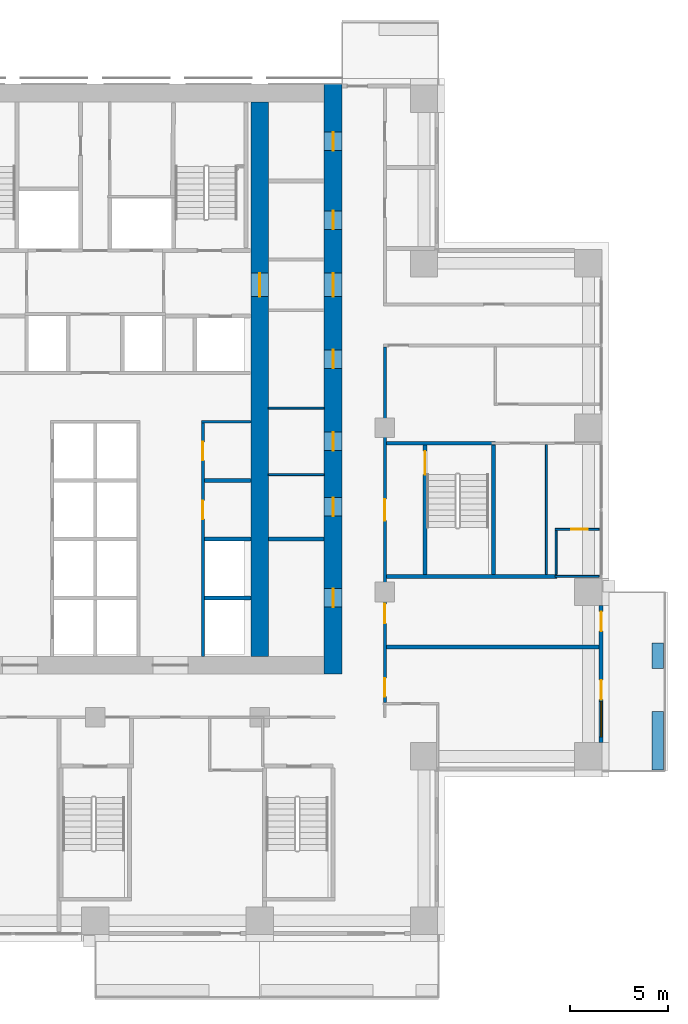
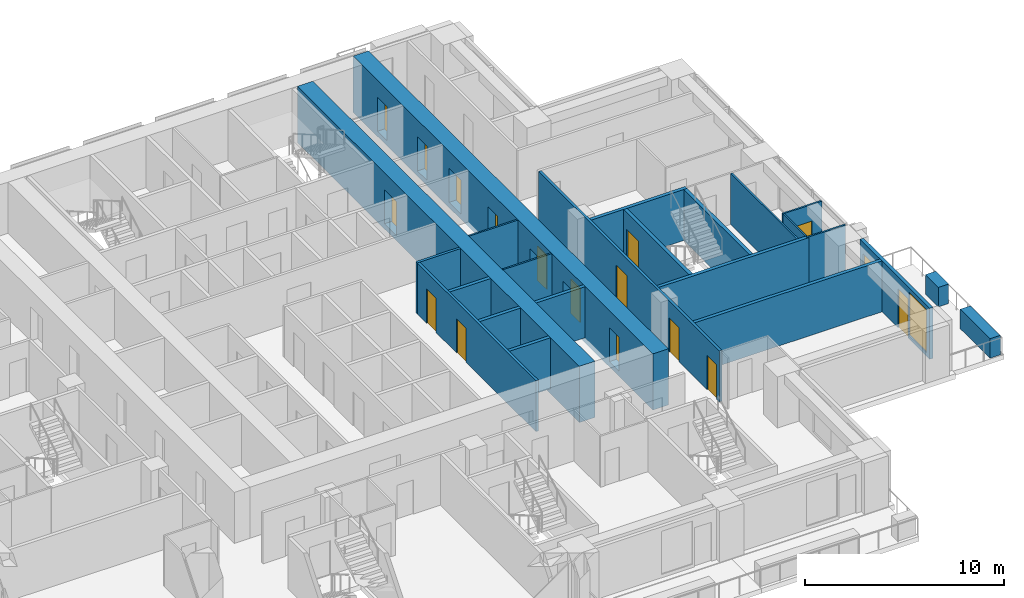
# One storey, part 11 of 17: 23 walls, 17 doors, 1 window, 18 openings.
"""IFC4 building model written with IfcOpenShell, lengths in metres."""

from ifc_helpers import new_model, si_unit, direction, frame, frame_2d, origin, place, context, subcontext, project, spatial, rectangle, extrude, material, layer, layer_set, type_object, element, fill, save


model = new_model("IFC4")

# Units and contexts
model_context = context("Model", 3, precision=1e-05, world=origin(), true_north=direction((0.0, 1.0)))
body_context = subcontext(model_context, "Body", "Model", "MODEL_VIEW")
ifc_project = project(units=[si_unit("LENGTHUNIT", "METRE"), si_unit("AREAUNIT", "SQUARE_METRE"), si_unit("VOLUMEUNIT", "CUBIC_METRE"), si_unit("PLANEANGLEUNIT", "RADIAN"), si_unit("MASSUNIT", "GRAM", prefix="KILO")], contexts=[model_context])

# Site, building, storey
site_placement = place(None, origin())
site = spatial("IfcSite", under=ifc_project, at=site_placement, CompositionType="ELEMENT")
building_placement = place(site_placement, origin())
building = spatial("IfcBuilding", under=site, at=building_placement, Name="Vermilion Ogive Tower", CompositionType="ELEMENT")
storey_placement = place(building_placement, frame((0.0, 0.0, 65.550048828125)))
storey = spatial("IfcBuildingStorey", under=building, at=storey_placement, Name="L15", CompositionType="ELEMENT", Elevation=65.550048828125)

# Wall, openings, doors
ifc_material_1 = material(Name="Concrete B80", Category="concrete")
ifc_layer_1 = layer(ifc_material_1, 0.89990234375)
ifc_layer_set_1 = layer_set([ifc_layer_1], Name="Core wall 900 B80")
wall_type_1 = type_object("IfcWallType", Name="Core wall 900 B80", PredefinedType="SHEAR", material=ifc_layer_set_1)
wall_1_placement = place(storey_placement, frame((12.14990234375, -8.39990234375, -0.320068359375), z_axis=(0.0, 0.0, 1.0), x_axis=(0.0, 1.0, 0.0)))
wall_1 = element("IfcWall", 1, at=wall_1_placement, inside=storey, type_object=wall_type_1, Name="L15-CORE-E", PredefinedType="SHEAR", context=body_context, shape_type="SweptSolid", body=[
    extrude(rectangle(XDim=30.14990234375, YDim=0.89990234375, at=frame_2d((15.074951171875, 0.0))), origin(), (0.0, 0.0, 1.0), 3.449951171875),
])
opening_1_placement = place(wall_1_placement, frame((3.425048828125, 0.0, 0.320068359375)))
opening_1 = element("IfcOpeningElement", 2, at=opening_1_placement, cuts=wall_1, Name="Opening DAC023", PredefinedType="OPENING", context=body_context, shape_type="SweptSolid", body=[
    extrude(rectangle(XDim=0.949951171875, YDim=2.10009765625, at=frame_2d((0.47509765625, 1.050048828125))), frame((0.0, 0.4599609375, 0.0), z_axis=(0.0, -1.0, 0.0), x_axis=(1.0, 0.0, 0.0)), (0.0, 0.0, 1.0), 0.919921875),
])
opening_2_placement = place(wall_1_placement, frame((8.074951171875, 0.0, 0.320068359375)))
opening_2 = element("IfcOpeningElement", 3, at=opening_2_placement, cuts=wall_1, Name="Opening DAC024", PredefinedType="OPENING", context=body_context, shape_type="SweptSolid", body=[
    extrude(rectangle(XDim=0.949951171875, YDim=2.10009765625, at=frame_2d((0.47509765625, 1.050048828125))), frame((0.0, 0.4599609375, 0.0), z_axis=(0.0, -1.0, 0.0), x_axis=(1.0, 0.0, 0.0)), (0.0, 0.0, 1.0), 0.919921875),
])
opening_3_placement = place(wall_1_placement, frame((11.425048828125, 0.0, 0.320068359375)))
opening_3 = element("IfcOpeningElement", 4, at=opening_3_placement, cuts=wall_1, Name="Opening DAC025", PredefinedType="OPENING", context=body_context, shape_type="SweptSolid", body=[
    extrude(rectangle(XDim=0.949951171875, YDim=2.10009765625, at=frame_2d((0.47509765625, 1.050048828125))), frame((0.0, 0.4599609375, 0.0), z_axis=(0.0, -1.0, 0.0), x_axis=(1.0, 0.0, 0.0)), (0.0, 0.0, 1.0), 0.919921875),
])
opening_4_placement = place(wall_1_placement, frame((15.625, 0.0, 0.320068359375)))
opening_4 = element("IfcOpeningElement", 5, at=opening_4_placement, cuts=wall_1, Name="Opening DAC026", PredefinedType="OPENING", context=body_context, shape_type="SweptSolid", body=[
    extrude(rectangle(XDim=0.949951171875, YDim=2.10009765625, at=frame_2d((0.47509765625, 1.050048828125))), frame((0.0, 0.4599609375, 0.0), z_axis=(0.0, -1.0, 0.0), x_axis=(1.0, 0.0, 0.0)), (0.0, 0.0, 1.0), 0.919921875),
])
opening_5_placement = place(wall_1_placement, frame((22.72509765625, 0.0, 0.320068359375)))
opening_5 = element("IfcOpeningElement", 6, at=opening_5_placement, cuts=wall_1, Name="Opening DAC027", PredefinedType="OPENING", context=body_context, shape_type="SweptSolid", body=[
    extrude(rectangle(XDim=0.949951171875, YDim=2.10009765625, at=frame_2d((0.47509765625, 1.050048828125))), frame((0.0, 0.4599609375, 0.0), z_axis=(0.0, -1.0, 0.0), x_axis=(1.0, 0.0, 0.0)), (0.0, 0.0, 1.0), 0.919921875),
])
opening_6_placement = place(wall_1_placement, frame((26.75, 0.0, 0.320068359375)))
opening_6 = element("IfcOpeningElement", 7, at=opening_6_placement, cuts=wall_1, Name="Opening DAC028", PredefinedType="OPENING", context=body_context, shape_type="SweptSolid", body=[
    extrude(rectangle(XDim=0.949951171875, YDim=2.10009765625, at=frame_2d((0.47509765625, 1.050048828125))), frame((0.0, 0.4599609375, 0.0), z_axis=(0.0, -1.0, 0.0), x_axis=(1.0, 0.0, 0.0)), (0.0, 0.0, 1.0), 0.919921875),
])
opening_7_placement = place(wall_1_placement, frame((19.300048828125, 0.0, 0.320068359375)))
opening_7 = element("IfcOpeningElement", 8, at=opening_7_placement, cuts=wall_1, Name="Opening DAL005", PredefinedType="OPENING", context=body_context, shape_type="SweptSolid", body=[
    extrude(rectangle(XDim=1.199951171875, YDim=2.10009765625, at=frame_2d((0.60009765625, 1.050048828125))), frame((0.0, 0.4599609375, 0.0), z_axis=(0.0, -1.0, 0.0), x_axis=(1.0, 0.0, 0.0)), (0.0, 0.0, 1.0), 0.919921875),
])
ifc_material_2 = material(Name="Timber door leaf", Category="wood")
door_type_1 = type_object("IfcDoorType", Name="Link door 1200 x 2100 FD60S", OperationType="SINGLE_SWING_LEFT", PredefinedType="DOOR", material=ifc_material_2)
door_1_placement = place(opening_7_placement, origin())
door_1 = element("IfcDoor", 9, at=door_1_placement, inside=storey, type_object=door_type_1, Name="L15-CKE-XL", OperationType="SINGLE_SWING_LEFT", OverallHeight=2.10009765625, OverallWidth=1.199951171875, PredefinedType="DOOR", context=body_context, shape_type="SweptSolid", body=[
    extrude(rectangle(XDim=1.199951171875, YDim=2.10009765625, at=frame_2d((0.60009765625, 1.050048828125))), frame((0.0, 0.02490234375, 0.0), z_axis=(0.0, -1.0, 0.0), x_axis=(1.0, 0.0, 0.0)), (0.0, 0.0, 1.0), 0.050048828125),
])
fill(opening_7, door_1)
ifc_material_3 = material(Name="Timber door leaf", Category="wood")
door_type_2 = type_object("IfcDoorType", Name="Service door 950 x 2100 FD60", OperationType="SINGLE_SWING_LEFT", PredefinedType="DOOR", material=ifc_material_3)
door_2_placement = place(opening_1_placement, origin())
door_2 = element("IfcDoor", 10, at=door_2_placement, inside=storey, type_object=door_type_2, Name="L15-CKE-XR0", OperationType="SINGLE_SWING_LEFT", OverallHeight=2.10009765625, OverallWidth=0.949951171875, PredefinedType="DOOR", context=body_context, shape_type="SweptSolid", body=[
    extrude(rectangle(XDim=0.949951171875, YDim=2.10009765625, at=frame_2d((0.47509765625, 1.050048828125))), frame((0.0, 0.02490234375, 0.0), z_axis=(0.0, -1.0, 0.0), x_axis=(1.0, 0.0, 0.0)), (0.0, 0.0, 1.0), 0.050048828125),
])
fill(opening_1, door_2)
door_3_placement = place(opening_2_placement, origin())
door_3 = element("IfcDoor", 11, at=door_3_placement, inside=storey, type_object=door_type_2, Name="L15-CKE-XR1", OperationType="SINGLE_SWING_LEFT", OverallHeight=2.10009765625, OverallWidth=0.949951171875, PredefinedType="DOOR", context=body_context, shape_type="SweptSolid", body=[
    extrude(rectangle(XDim=0.949951171875, YDim=2.10009765625, at=frame_2d((0.47509765625, 1.050048828125))), frame((0.0, 0.02490234375, 0.0), z_axis=(0.0, -1.0, 0.0), x_axis=(1.0, 0.0, 0.0)), (0.0, 0.0, 1.0), 0.050048828125),
])
fill(opening_2, door_3)
door_4_placement = place(opening_3_placement, origin())
door_4 = element("IfcDoor", 12, at=door_4_placement, inside=storey, type_object=door_type_2, Name="L15-CKE-XR2", OperationType="SINGLE_SWING_LEFT", OverallHeight=2.10009765625, OverallWidth=0.949951171875, PredefinedType="DOOR", context=body_context, shape_type="SweptSolid", body=[
    extrude(rectangle(XDim=0.949951171875, YDim=2.10009765625, at=frame_2d((0.47509765625, 1.050048828125))), frame((0.0, 0.02490234375, 0.0), z_axis=(0.0, -1.0, 0.0), x_axis=(1.0, 0.0, 0.0)), (0.0, 0.0, 1.0), 0.050048828125),
])
fill(opening_3, door_4)
door_5_placement = place(opening_4_placement, origin())
door_5 = element("IfcDoor", 13, at=door_5_placement, inside=storey, type_object=door_type_2, Name="L15-CKE-XR3", OperationType="SINGLE_SWING_LEFT", OverallHeight=2.10009765625, OverallWidth=0.949951171875, PredefinedType="DOOR", context=body_context, shape_type="SweptSolid", body=[
    extrude(rectangle(XDim=0.949951171875, YDim=2.10009765625, at=frame_2d((0.47509765625, 1.050048828125))), frame((0.0, 0.02490234375, 0.0), z_axis=(0.0, -1.0, 0.0), x_axis=(1.0, 0.0, 0.0)), (0.0, 0.0, 1.0), 0.050048828125),
])
fill(opening_4, door_5)
door_6_placement = place(opening_5_placement, origin())
door_6 = element("IfcDoor", 14, at=door_6_placement, inside=storey, type_object=door_type_2, Name="L15-CKE-XR4", OperationType="SINGLE_SWING_LEFT", OverallHeight=2.10009765625, OverallWidth=0.949951171875, PredefinedType="DOOR", context=body_context, shape_type="SweptSolid", body=[
    extrude(rectangle(XDim=0.949951171875, YDim=2.10009765625, at=frame_2d((0.47509765625, 1.050048828125))), frame((0.0, 0.02490234375, 0.0), z_axis=(0.0, -1.0, 0.0), x_axis=(1.0, 0.0, 0.0)), (0.0, 0.0, 1.0), 0.050048828125),
])
fill(opening_5, door_6)
door_7_placement = place(opening_6_placement, origin())
door_7 = element("IfcDoor", 15, at=door_7_placement, inside=storey, type_object=door_type_2, Name="L15-CKE-XR5", OperationType="SINGLE_SWING_LEFT", OverallHeight=2.10009765625, OverallWidth=0.949951171875, PredefinedType="DOOR", context=body_context, shape_type="SweptSolid", body=[
    extrude(rectangle(XDim=0.949951171875, YDim=2.10009765625, at=frame_2d((0.47509765625, 1.050048828125))), frame((0.0, 0.02490234375, 0.0), z_axis=(0.0, -1.0, 0.0), x_axis=(1.0, 0.0, 0.0)), (0.0, 0.0, 1.0), 0.050048828125),
])
fill(opening_6, door_7)

# Wall, opening, door
wall_2_placement = place(storey_placement, frame((8.39990234375, -7.5, -0.320068359375), z_axis=(0.0, 0.0, 1.0), x_axis=(0.0, 1.0, 0.0)))
wall_2 = element("IfcWall", 16, at=wall_2_placement, inside=storey, type_object=wall_type_1, Name="L15-CORE-WEB2", PredefinedType="SHEAR", context=body_context, shape_type="SweptSolid", body=[
    extrude(rectangle(XDim=28.35009765625, YDim=0.89990234375, at=frame_2d((14.175048828125, 0.0))), origin(), (0.0, 0.0, 1.0), 3.449951171875),
])
opening_8_placement = place(wall_2_placement, frame((18.39990234375, 0.0, 0.320068359375)))
opening_8 = element("IfcOpeningElement", 17, at=opening_8_placement, cuts=wall_2, Name="Opening DAO005", PredefinedType="OPENING", context=body_context, shape_type="SweptSolid", body=[
    extrude(rectangle(XDim=1.199951171875, YDim=2.10009765625, at=frame_2d((0.60009765625, 1.050048828125))), frame((0.0, 0.4599609375, 0.0), z_axis=(0.0, -1.0, 0.0), x_axis=(1.0, 0.0, 0.0)), (0.0, 0.0, 1.0), 0.919921875),
])
door_8_placement = place(opening_8_placement, origin())
door_8 = element("IfcDoor", 18, at=door_8_placement, inside=storey, type_object=door_type_1, Name="L15-CKE-XW", OperationType="SINGLE_SWING_LEFT", OverallHeight=2.10009765625, OverallWidth=1.199951171875, PredefinedType="DOOR", context=body_context, shape_type="SweptSolid", body=[
    extrude(rectangle(XDim=1.199951171875, YDim=2.10009765625, at=frame_2d((0.60009765625, 1.050048828125))), frame((0.0, 0.02490234375, 0.0), z_axis=(0.0, -1.0, 0.0), x_axis=(1.0, 0.0, 0.0)), (0.0, 0.0, 1.0), 0.050048828125),
])
fill(opening_8, door_8)

# Wall
ifc_material_4 = material(Name="Gypsum board partition on steel studs", Category="steel")
ifc_layer_2 = layer(ifc_material_4, 0.10009765625)
ifc_layer_set_2 = layer_set([ifc_layer_2], Name="Partition 100 bath")
wall_type_2 = type_object("IfcWallType", Name="Partition 100 bath", PredefinedType="PARTITIONING", material=ifc_layer_set_2)
wall_3_placement = place(storey_placement, frame((23.5, -3.39990234375, 0.0), z_axis=(0.0, 0.0, 1.0), x_axis=(1.0, 0.0, 0.0)))
element("IfcWall", 19, at=wall_3_placement, inside=storey, type_object=wall_type_2, Name="L15-W-W020", PredefinedType="PARTITIONING", context=body_context, shape_type="SweptSolid", body=[
    extrude(rectangle(XDim=2.25, YDim=0.10009765625, at=frame_2d((1.125, 0.0))), origin(), (0.0, 0.0, 1.0), 3.1298828125),
])

# Wall, opening, door
wall_4_placement = place(storey_placement, frame((23.5, -1.0, 0.0), z_axis=(0.0, 0.0, 1.0), x_axis=(1.0, 0.0, 0.0)))
wall_4 = element("IfcWall", 20, at=wall_4_placement, inside=storey, type_object=wall_type_2, Name="L15-W-W022", PredefinedType="PARTITIONING", context=body_context, shape_type="SweptSolid", body=[
    extrude(rectangle(XDim=2.25, YDim=0.10009765625, at=frame_2d((1.125, 0.0))), origin(), (0.0, 0.0, 1.0), 3.1298828125),
])
opening_9_placement = place(wall_4_placement, frame((0.824951171875, 0.0, 0.0)))
opening_9 = element("IfcOpeningElement", 21, at=opening_9_placement, cuts=wall_4, Name="Opening D1G5018", PredefinedType="OPENING", context=body_context, shape_type="SweptSolid", body=[
    extrude(rectangle(XDim=0.85009765625, YDim=2.10009765625, at=frame_2d((0.425048828125, 1.050048828125))), frame((0.0, 0.06005859375, 0.0), z_axis=(0.0, -1.0, 0.0), x_axis=(1.0, 0.0, 0.0)), (0.0, 0.0, 1.0), 0.1201171875),
])
ifc_material_5 = material(Name="Timber door leaf", Category="wood")
door_type_3 = type_object("IfcDoorType", Name="Bath door 850 x 2100 FD30", OperationType="SINGLE_SWING_LEFT", PredefinedType="DOOR", material=ifc_material_5)
door_9_placement = place(opening_9_placement, origin())
door_9 = element("IfcDoor", 22, at=door_9_placement, inside=storey, type_object=door_type_3, Name="L15-D-D018", OperationType="SINGLE_SWING_RIGHT", OverallHeight=2.10009765625, OverallWidth=0.85009765625, PredefinedType="DOOR", context=body_context, shape_type="SweptSolid", body=[
    extrude(rectangle(XDim=0.85009765625, YDim=2.10009765625, at=frame_2d((0.425048828125, 1.050048828125))), frame((0.0, 0.02490234375, 0.0), z_axis=(0.0, -1.0, 0.0), x_axis=(1.0, 0.0, 0.0)), (0.0, 0.0, 1.0), 0.050048828125),
])
fill(opening_9, door_9)

# Walls
wall_5_placement = place(storey_placement, frame((23.550048828125, -3.300048828125, 0.0), z_axis=(0.0, 0.0, 1.0), x_axis=(0.0, 1.0, 0.0)))
element("IfcWall", 23, at=wall_5_placement, inside=storey, type_object=wall_type_2, Name="L15-W-W060", PredefinedType="PARTITIONING", context=body_context, shape_type="SweptSolid", body=[
    extrude(rectangle(XDim=2.25, YDim=0.10009765625, at=frame_2d((1.125, 0.0))), origin(), (0.0, 0.0, 1.0), 3.1298828125),
])
for number, where, z_axis, x_axis, name in (
    (24, (8.85107421875, 1.800048828125, 0.0), (0.0, 0.0, 1.0), (1.0, 0.0, 0.0), "L15-CKE-W-W002"),
    (25, (8.85107421875, 5.199951171875, 0.0), (0.0, 0.0, 1.0), (1.0, 0.0, 0.0), "L15-CKE-W-W003"),
):
    element("IfcWall", number, at=place(storey_placement, frame(where, z_axis=z_axis, x_axis=x_axis)), inside=storey, type_object=wall_type_2, Name=name, PredefinedType="PARTITIONING", context=body_context, shape_type="SweptSolid", body=[
        extrude(rectangle(XDim=2.847900390625, YDim=0.10009765625, at=frame_2d((1.423828125, 0.0))), origin(), (0.0, 0.0, 1.0), 3.1298828125),
    ])
ifc_material_6 = material(Name="Gypsum board partition on steel studs", Category="steel")
ifc_layer_3 = layer(ifc_material_6, 0.10009765625)
ifc_layer_set_3 = layer_set([ifc_layer_3], Name="Partition 100 inner")
wall_type_3 = type_object("IfcWallType", Name="Partition 100 inner", PredefinedType="PARTITIONING", material=ifc_layer_set_3)
wall_6_placement = place(storey_placement, frame((23.050048828125, -3.300048828125, 0.0), z_axis=(0.0, 0.0, 1.0), x_axis=(0.0, 1.0, 0.0)))
element("IfcWall", 26, at=wall_6_placement, inside=storey, type_object=wall_type_3, Name="L15-W-W059", PredefinedType="PARTITIONING", context=body_context, shape_type="SweptSolid", body=[
    extrude(rectangle(XDim=6.650146484375, YDim=0.10009765625, at=frame_2d((3.3251953125, 0.0))), origin(), (0.0, 0.0, 1.0), 3.1298828125),
])

# Wall, openings, doors
ifc_material_7 = material(Name="Gypsum board partition on steel studs", Category="steel")
ifc_layer_4 = layer(ifc_material_7, 0.14990234375)
ifc_layer_set_4 = layer_set([ifc_layer_4], Name="Partition 150 corridor")
wall_type_4 = type_object("IfcWallType", Name="Partition 150 corridor", PredefinedType="PARTITIONING", material=ifc_layer_set_4)
wall_7_placement = place(storey_placement, frame((14.800048828125, -9.85009765625, 0.0), z_axis=(0.0, 0.0, 1.0), x_axis=(0.0, 1.0, 0.0)))
wall_7 = element("IfcWall", 27, at=wall_7_placement, inside=storey, type_object=wall_type_4, Name="L15-W-W053", PredefinedType="PARTITIONING", context=body_context, shape_type="SweptSolid", body=[
    extrude(rectangle(XDim=18.175048828125, YDim=0.14990234375, at=frame_2d((9.08740234375, 0.0))), origin(), (0.0, 0.0, 1.0), 3.1298828125),
])
opening_10_placement = place(wall_7_placement, frame((0.300048828125, 0.0, 0.0)))
opening_10 = element("IfcOpeningElement", 28, at=opening_10_placement, cuts=wall_7, Name="Opening D1G5012", PredefinedType="OPENING", context=body_context, shape_type="SweptSolid", body=[
    extrude(rectangle(XDim=0.949951171875, YDim=2.10009765625, at=frame_2d((0.47509765625, 1.050048828125))), frame((0.0, 0.0849609375, 0.0), z_axis=(0.0, -1.0, 0.0), x_axis=(1.0, 0.0, 0.0)), (0.0, 0.0, 1.0), 0.169921875),
])
opening_11_placement = place(wall_7_placement, frame((9.300048828125, 0.0, 0.0)))
opening_11 = element("IfcOpeningElement", 29, at=opening_11_placement, cuts=wall_7, Name="Opening D1G5027", PredefinedType="OPENING", context=body_context, shape_type="SweptSolid", body=[
    extrude(rectangle(XDim=1.10009765625, YDim=2.10009765625, at=frame_2d((0.550048828125, 1.050048828125))), frame((0.0, 0.0849609375, 0.0), z_axis=(0.0, -1.0, 0.0), x_axis=(1.0, 0.0, 0.0)), (0.0, 0.0, 1.0), 0.169921875),
])
opening_12_placement = place(wall_7_placement, frame((4.050048828125, 0.0, 0.0)))
opening_12 = element("IfcOpeningElement", 30, at=opening_12_placement, cuts=wall_7, Name="Opening D1G5032", PredefinedType="OPENING", context=body_context, shape_type="SweptSolid", body=[
    extrude(rectangle(XDim=1.0, YDim=2.10009765625, at=frame_2d((0.5, 1.050048828125))), frame((0.0, 0.0849609375, 0.0), z_axis=(0.0, -1.0, 0.0), x_axis=(1.0, 0.0, 0.0)), (0.0, 0.0, 1.0), 0.169921875),
])
ifc_material_8 = material(Name="Timber door leaf", Category="wood")
door_type_4 = type_object("IfcDoorType", Name="Stair door 1100 x 2100 FD60S", OperationType="SINGLE_SWING_LEFT", PredefinedType="DOOR", material=ifc_material_8)
door_10_placement = place(opening_11_placement, origin())
door_10 = element("IfcDoor", 31, at=door_10_placement, inside=storey, type_object=door_type_4, Name="L15-D-D027", OperationType="SINGLE_SWING_LEFT", OverallHeight=2.10009765625, OverallWidth=1.10009765625, PredefinedType="DOOR", context=body_context, shape_type="SweptSolid", body=[
    extrude(rectangle(XDim=1.10009765625, YDim=2.10009765625, at=frame_2d((0.550048828125, 1.050048828125))), frame((0.0, 0.02490234375, 0.0), z_axis=(0.0, -1.0, 0.0), x_axis=(1.0, 0.0, 0.0)), (0.0, 0.0, 1.0), 0.050048828125),
])
fill(opening_11, door_10)
ifc_material_9 = material(Name="Timber door leaf", Category="wood")
door_type_5 = type_object("IfcDoorType", Name="Unit door 1000 x 2100 FD30S", OperationType="SINGLE_SWING_LEFT", PredefinedType="DOOR", material=ifc_material_9)
door_11_placement = place(opening_12_placement, origin())
door_11 = element("IfcDoor", 32, at=door_11_placement, inside=storey, type_object=door_type_5, Name="L15-D-D032", OperationType="SINGLE_SWING_RIGHT", OverallHeight=2.10009765625, OverallWidth=1.0, PredefinedType="DOOR", context=body_context, shape_type="SweptSolid", body=[
    extrude(rectangle(XDim=1.0, YDim=2.10009765625, at=frame_2d((0.5, 1.050048828125))), frame((0.0, 0.02490234375, 0.0), z_axis=(0.0, -1.0, 0.0), x_axis=(1.0, 0.0, 0.0)), (0.0, 0.0, 1.0), 0.050048828125),
])
fill(opening_12, door_11)
ifc_material_10 = material(Name="Timber door leaf", Category="wood")
door_type_6 = type_object("IfcDoorType", Name="Unit door 950 x 2100 FD30S", OperationType="SINGLE_SWING_LEFT", PredefinedType="DOOR", material=ifc_material_10)
door_12_placement = place(opening_10_placement, origin())
door_12 = element("IfcDoor", 33, at=door_12_placement, inside=storey, type_object=door_type_6, Name="L15-D-D012", OperationType="SINGLE_SWING_RIGHT", OverallHeight=2.10009765625, OverallWidth=0.949951171875, PredefinedType="DOOR", context=body_context, shape_type="SweptSolid", body=[
    extrude(rectangle(XDim=0.949951171875, YDim=2.10009765625, at=frame_2d((0.47509765625, 1.050048828125))), frame((0.0, 0.02490234375, 0.0), z_axis=(0.0, -1.0, 0.0), x_axis=(1.0, 0.0, 0.0)), (0.0, 0.0, 1.0), 0.050048828125),
])
fill(opening_10, door_12)

# Wall
wall_8_placement = place(storey_placement, frame((5.425048828125, 4.5, 0.0), z_axis=(0.0, 0.0, 1.0), x_axis=(1.0, 0.0, 0.0)))
element("IfcWall", 34, at=wall_8_placement, inside=storey, type_object=wall_type_4, Name="L15-CK-W-W012", PredefinedType="PARTITIONING", context=body_context, shape_type="SweptSolid", body=[
    extrude(rectangle(XDim=2.52392578125, YDim=0.14990234375, at=frame_2d((1.261962890625, 0.0))), origin(), (0.0, 0.0, 1.0), 3.1298828125),
])

# Wall, openings, doors
wall_9_placement = place(storey_placement, frame((5.5, -7.4990234375, 0.0), z_axis=(0.0, 0.0, 1.0), x_axis=(0.0, 1.0, 0.0)))
wall_9 = element("IfcWall", 35, at=wall_9_placement, inside=storey, type_object=wall_type_4, Name="L15-CK-W-W040", PredefinedType="PARTITIONING", context=body_context, shape_type="SweptSolid", body=[
    extrude(rectangle(XDim=11.924072265625, YDim=0.14990234375, at=frame_2d((5.9619140625, 0.0))), origin(), (0.0, 0.0, 1.0), 3.1298828125),
])
opening_13_placement = place(wall_9_placement, frame((7.02392578125, 0.0, 0.0)))
opening_13 = element("IfcOpeningElement", 36, at=opening_13_placement, cuts=wall_9, Name="Opening DAA096", PredefinedType="OPENING", context=body_context, shape_type="SweptSolid", body=[
    extrude(rectangle(XDim=0.949951171875, YDim=2.10009765625, at=frame_2d((0.47509765625, 1.050048828125))), frame((0.0, 0.0849609375, 0.0), z_axis=(0.0, -1.0, 0.0), x_axis=(1.0, 0.0, 0.0)), (0.0, 0.0, 1.0), 0.169921875),
])
opening_14_placement = place(wall_9_placement, frame((10.02392578125, 0.0, 0.0)))
opening_14 = element("IfcOpeningElement", 37, at=opening_14_placement, cuts=wall_9, Name="Opening DAA097", PredefinedType="OPENING", context=body_context, shape_type="SweptSolid", body=[
    extrude(rectangle(XDim=0.949951171875, YDim=2.10009765625, at=frame_2d((0.47509765625, 1.050048828125))), frame((0.0, 0.0849609375, 0.0), z_axis=(0.0, -1.0, 0.0), x_axis=(1.0, 0.0, 0.0)), (0.0, 0.0, 1.0), 0.169921875),
])
door_13_placement = place(opening_13_placement, origin())
door_13 = element("IfcDoor", 38, at=door_13_placement, inside=storey, type_object=door_type_2, Name="L15-CK-D-D009", OperationType="SINGLE_SWING_RIGHT", OverallHeight=2.10009765625, OverallWidth=0.949951171875, PredefinedType="DOOR", context=body_context, shape_type="SweptSolid", body=[
    extrude(rectangle(XDim=0.949951171875, YDim=2.10009765625, at=frame_2d((0.47509765625, 1.050048828125))), frame((0.0, 0.02490234375, 0.0), z_axis=(0.0, -1.0, 0.0), x_axis=(1.0, 0.0, 0.0)), (0.0, 0.0, 1.0), 0.050048828125),
])
fill(opening_13, door_13)
door_14_placement = place(opening_14_placement, origin())
door_14 = element("IfcDoor", 39, at=door_14_placement, inside=storey, type_object=door_type_2, Name="L15-CK-D-D010", OperationType="SINGLE_SWING_RIGHT", OverallHeight=2.10009765625, OverallWidth=0.949951171875, PredefinedType="DOOR", context=body_context, shape_type="SweptSolid", body=[
    extrude(rectangle(XDim=0.949951171875, YDim=2.10009765625, at=frame_2d((0.47509765625, 1.050048828125))), frame((0.0, 0.02490234375, 0.0), z_axis=(0.0, -1.0, 0.0), x_axis=(1.0, 0.0, 0.0)), (0.0, 0.0, 1.0), 0.050048828125),
])
fill(opening_14, door_14)

# Walls
ifc_material_11 = material(Name="Gypsum board partition on steel studs", Category="steel")
ifc_layer_5 = layer(ifc_material_11, 0.199951171875)
ifc_layer_set_5 = layer_set([ifc_layer_5], Name="Partition 200 party")
wall_type_5 = type_object("IfcWallType", Name="Partition 200 party", PredefinedType="PARTITIONING", material=ifc_layer_set_5)
wall_10_placement = place(storey_placement, frame((14.875, -7.0, 0.0), z_axis=(0.0, 0.0, 1.0), x_axis=(1.0, 0.0, 0.0)))
element("IfcWall", 40, at=wall_10_placement, inside=storey, type_object=wall_type_5, Name="L15-W-W015", PredefinedType="PARTITIONING", context=body_context, shape_type="SweptSolid", body=[
    extrude(rectangle(XDim=10.875, YDim=0.199951171875, at=frame_2d((5.4375, 0.0))), origin(), (0.0, 0.0, 1.0), 3.1298828125),
])
for number, where, z_axis, x_axis, name in (
    (41, (5.574951171875, -4.5, 0.0), (0.0, 0.0, 1.0), (1.0, 0.0, 0.0), "L15-CK-W-W003"),
    (42, (5.574951171875, -1.5, 0.0), (0.0, 0.0, 1.0), (1.0, 0.0, 0.0), "L15-CK-W-W006"),
    (43, (5.574951171875, 1.5, 0.0), (0.0, 0.0, 1.0), (1.0, 0.0, 0.0), "L15-CK-W-W009"),
):
    element("IfcWall", number, at=place(storey_placement, frame(where, z_axis=z_axis, x_axis=x_axis)), inside=storey, type_object=wall_type_5, Name=name, PredefinedType="PARTITIONING", context=body_context, shape_type="SweptSolid", body=[
        extrude(rectangle(XDim=2.3740234375, YDim=0.199951171875, at=frame_2d((1.18701171875, 0.0))), origin(), (0.0, 0.0, 1.0), 3.1298828125),
    ])
wall_11_placement = place(storey_placement, frame((8.85107421875, -1.5, 0.0), z_axis=(0.0, 0.0, 1.0), x_axis=(1.0, 0.0, 0.0)))
element("IfcWall", 44, at=wall_11_placement, inside=storey, type_object=wall_type_5, Name="L15-CKE-W-W001", PredefinedType="PARTITIONING", context=body_context, shape_type="SweptSolid", body=[
    extrude(rectangle(XDim=2.847900390625, YDim=0.199951171875, at=frame_2d((1.423828125, 0.0))), origin(), (0.0, 0.0, 1.0), 3.1298828125),
])
ifc_material_12 = material(Name="Concrete B60", Category="concrete")
ifc_layer_6 = layer(ifc_material_12, 0.199951171875)
ifc_layer_set_6 = layer_set([ifc_layer_6], Name="Stair shaft wall 200 Concrete B60")
wall_type_6 = type_object("IfcWallType", Name="Stair shaft wall 200 Concrete B60", PredefinedType="SOLIDWALL", material=ifc_layer_set_6)
wall_12_placement = place(storey_placement, frame((14.875, 3.39990234375, 0.0), z_axis=(0.0, 0.0, 1.0), x_axis=(1.0, 0.0, 0.0)))
element("IfcWall", 45, at=wall_12_placement, inside=storey, type_object=wall_type_6, Name="L15-W-W025", PredefinedType="SOLIDWALL", context=body_context, shape_type="SweptSolid", body=[
    extrude(rectangle(XDim=5.574951171875, YDim=0.199951171875, at=frame_2d((2.78759765625, 0.0))), origin(), (0.0, 0.0, 1.0), 3.1298828125),
])

# Wall, opening, door
wall_13_placement = place(storey_placement, frame((16.85009765625, -3.300048828125, 0.0), z_axis=(0.0, 0.0, 1.0), x_axis=(0.0, 1.0, 0.0)))
wall_13 = element("IfcWall", 46, at=wall_13_placement, inside=storey, type_object=wall_type_6, Name="L15-W-W055", PredefinedType="SOLIDWALL", context=body_context, shape_type="SweptSolid", body=[
    extrude(rectangle(XDim=6.60009765625, YDim=0.199951171875, at=frame_2d((3.300048828125, 0.0))), origin(), (0.0, 0.0, 1.0), 3.1298828125),
])
opening_15_placement = place(wall_13_placement, frame((5.10009765625, 0.0, 0.0)))
opening_15 = element("IfcOpeningElement", 47, at=opening_15_placement, cuts=wall_13, Name="Opening D1G5028", PredefinedType="OPENING", context=body_context, shape_type="SweptSolid", body=[
    extrude(rectangle(XDim=1.199951171875, YDim=2.10009765625, at=frame_2d((0.60009765625, 1.050048828125))), frame((0.0, 0.10986328125, 0.0), z_axis=(0.0, -1.0, 0.0), x_axis=(1.0, 0.0, 0.0)), (0.0, 0.0, 1.0), 0.219970703125),
])
ifc_material_13 = material(Name="Timber door leaf", Category="wood")
door_type_7 = type_object("IfcDoorType", Name="Stair door 1200 x 2100 FD60S", OperationType="SINGLE_SWING_LEFT", PredefinedType="DOOR", material=ifc_material_13)
door_15_placement = place(opening_15_placement, origin())
door_15 = element("IfcDoor", 48, at=door_15_placement, inside=storey, type_object=door_type_7, Name="L15-D-D028", OperationType="SINGLE_SWING_LEFT", OverallHeight=2.10009765625, OverallWidth=1.199951171875, PredefinedType="DOOR", context=body_context, shape_type="SweptSolid", body=[
    extrude(rectangle(XDim=1.199951171875, YDim=2.10009765625, at=frame_2d((0.60009765625, 1.050048828125))), frame((0.0, 0.02490234375, 0.0), z_axis=(0.0, -1.0, 0.0), x_axis=(1.0, 0.0, 0.0)), (0.0, 0.0, 1.0), 0.050048828125),
])
fill(opening_15, door_15)

# Walls
wall_14_placement = place(storey_placement, frame((20.35009765625, -3.300048828125, 0.0), z_axis=(0.0, 0.0, 1.0), x_axis=(0.0, 1.0, 0.0)))
element("IfcWall", 49, at=wall_14_placement, inside=storey, type_object=wall_type_6, Name="L15-W-W057-A", PredefinedType="SOLIDWALL", context=body_context, shape_type="SweptSolid", body=[
    extrude(rectangle(XDim=6.60009765625, YDim=0.199951171875, at=frame_2d((3.300048828125, 0.0))), origin(), (0.0, 0.0, 1.0), 3.1298828125),
])
wall_15_placement = place(storey_placement, frame((14.875, -3.39990234375, 0.0), z_axis=(0.0, 0.0, 1.0), x_axis=(1.0, 0.0, 0.0)))
element("IfcWall", 50, at=wall_15_placement, inside=storey, type_object=wall_type_6, Name="L15-W-W019-A", PredefinedType="SOLIDWALL", context=body_context, shape_type="SweptSolid", body=[
    extrude(rectangle(XDim=8.72509765625, YDim=0.199951171875, at=frame_2d((4.362548828125, 0.0))), origin(), (0.0, 0.0, 1.0), 3.1298828125),
])
ifc_material_14 = material(Name="Concrete B40", Category="concrete")
ifc_layer_7 = layer(ifc_material_14, 0.60009765625)
ifc_layer_set_7 = layer_set([ifc_layer_7], Name="Structural planter")
wall_type_7 = type_object("IfcWallType", Name="Structural planter", PredefinedType="USERDEFINED", material=ifc_layer_set_7)
wall_16_placement = place(storey_placement, frame((28.75, -13.2900390625, -0.0400390625), z_axis=(0.0, 0.0, 1.0), x_axis=(0.0, 1.0, 0.0)))
element("IfcWall", 51, at=wall_16_placement, inside=storey, type_object=wall_type_7, Name="Planter E01A1", ObjectType="PLANTER", PredefinedType="USERDEFINED", context=body_context, shape_type="SweptSolid", body=[
    extrude(rectangle(XDim=2.989990234375, YDim=0.60009765625, at=frame_2d((1.4951171875, 0.0))), origin(), (0.0, 0.0, 1.0), 1.199951171875),
])
wall_17_placement = place(storey_placement, frame((28.75, -8.10009765625, -0.0400390625), z_axis=(0.0, 0.0, 1.0), x_axis=(0.0, 1.0, 0.0)))
element("IfcWall", 52, at=wall_17_placement, inside=storey, type_object=wall_type_7, Name="Planter E01A2", ObjectType="PLANTER", PredefinedType="USERDEFINED", context=body_context, shape_type="SweptSolid", body=[
    extrude(rectangle(XDim=1.300048828125, YDim=0.60009765625, at=frame_2d((0.64990234375, 0.0))), origin(), (0.0, 0.0, 1.0), 1.199951171875),
])

# Wall, openings, doors, window
ifc_material_15 = material(Name="Aluminium window wall framing", Category="aluminium")
ifc_layer_8 = layer(ifc_material_15, 0.199951171875)
ifc_layer_set_8 = layer_set([ifc_layer_8], Name="Window wall")
wall_type_8 = type_object("IfcWallType", Name="Window wall", PredefinedType="STANDARD", material=ifc_layer_set_8)
wall_18_placement = place(storey_placement, frame((25.85009765625, -11.89990234375, 0.0), z_axis=(0.0, 0.0, 1.0), x_axis=(0.0, 1.0, 0.0)))
wall_18 = element("IfcWall", 53, at=wall_18_placement, inside=storey, type_object=wall_type_8, Name="Window wall E1", PredefinedType="STANDARD", context=body_context, shape_type="SweptSolid", body=[
    extrude(rectangle(XDim=7.0, YDim=0.199951171875, at=frame_2d((3.5, 0.0))), origin(), (0.0, 0.0, 1.0), 3.1298828125),
])
opening_16_placement = place(wall_18_placement, frame((0.300048828125, 0.0, 0.199951171875)))
opening_16 = element("IfcOpeningElement", 54, at=opening_16_placement, cuts=wall_18, Name="Opening W1-E97", PredefinedType="OPENING", context=body_context, shape_type="SweptSolid", body=[
    extrude(rectangle(XDim=1.800048828125, YDim=2.64990234375, at=frame_2d((0.89990234375, 1.324951171875))), frame((0.0, 0.10986328125, 0.0), z_axis=(0.0, -1.0, 0.0), x_axis=(1.0, 0.0, 0.0)), (0.0, 0.0, 1.0), 0.219970703125),
])
opening_17_placement = place(wall_18_placement, frame((2.199951171875, 0.0, 0.0)))
opening_17 = element("IfcOpeningElement", 55, at=opening_17_placement, cuts=wall_18, Name="Opening D1-E97", PredefinedType="OPENING", context=body_context, shape_type="SweptSolid", body=[
    extrude(rectangle(XDim=1.0, YDim=2.39990234375, at=frame_2d((0.5, 1.199951171875))), frame((0.0, 0.10986328125, 0.0), z_axis=(0.0, -1.0, 0.0), x_axis=(1.0, 0.0, 0.0)), (0.0, 0.0, 1.0), 0.219970703125),
])
opening_18_placement = place(wall_18_placement, frame((5.699951171875, 0.0, 0.0)))
opening_18 = element("IfcOpeningElement", 56, at=opening_18_placement, cuts=wall_18, Name="Opening D1-E98", PredefinedType="OPENING", context=body_context, shape_type="SweptSolid", body=[
    extrude(rectangle(XDim=1.0, YDim=2.39990234375, at=frame_2d((0.5, 1.199951171875))), frame((0.0, 0.10986328125, 0.0), z_axis=(0.0, -1.0, 0.0), x_axis=(1.0, 0.0, 0.0)), (0.0, 0.0, 1.0), 0.219970703125),
])
ifc_material_16 = material(Name="Aluminium framed glazed door", Category="aluminium")
door_type_8 = type_object("IfcDoorType", Name="Balcony door D1", OperationType="SINGLE_SWING_LEFT", PredefinedType="DOOR", material=ifc_material_16)
door_16_placement = place(opening_17_placement, origin())
door_16 = element("IfcDoor", 57, at=door_16_placement, inside=storey, type_object=door_type_8, Name="Balcony door E97", OperationType="SINGLE_SWING_LEFT", OverallHeight=2.39990234375, OverallWidth=1.0, PredefinedType="DOOR", context=body_context, shape_type="SweptSolid", body=[
    extrude(rectangle(XDim=1.0, YDim=2.39990234375, at=frame_2d((0.5, 1.199951171875))), frame((0.0, 0.02490234375, 0.0), z_axis=(0.0, -1.0, 0.0), x_axis=(1.0, 0.0, 0.0)), (0.0, 0.0, 1.0), 0.050048828125),
])
fill(opening_17, door_16)
door_17_placement = place(opening_18_placement, origin())
door_17 = element("IfcDoor", 58, at=door_17_placement, inside=storey, type_object=door_type_8, Name="Balcony door E98", OperationType="SINGLE_SWING_LEFT", OverallHeight=2.39990234375, OverallWidth=1.0, PredefinedType="DOOR", context=body_context, shape_type="SweptSolid", body=[
    extrude(rectangle(XDim=1.0, YDim=2.39990234375, at=frame_2d((0.5, 1.199951171875))), frame((0.0, 0.02490234375, 0.0), z_axis=(0.0, -1.0, 0.0), x_axis=(1.0, 0.0, 0.0)), (0.0, 0.0, 1.0), 0.050048828125),
])
fill(opening_18, door_17)
ifc_material_17 = material(Name="Aluminium framed double glazing", Category="aluminium")
window_type = type_object("IfcWindowType", Name="Guest window W1", PartitioningType="SINGLE_PANEL", PredefinedType="WINDOW", material=ifc_material_17)
window_placement = place(opening_16_placement, origin())
window = element("IfcWindow", 59, at=window_placement, inside=storey, type_object=window_type, Name="Window E97", OverallHeight=2.64990234375, OverallWidth=1.800048828125, PartitioningType="SINGLE_PANEL", PredefinedType="WINDOW", context=body_context, shape_type="SweptSolid", body=[
    extrude(rectangle(XDim=1.800048828125, YDim=2.64990234375, at=frame_2d((0.89990234375, 1.324951171875))), frame((0.0, 0.030029296875, 0.0), z_axis=(0.0, -1.0, 0.0), x_axis=(1.0, 0.0, 0.0)), (0.0, 0.0, 1.0), 0.06005859375),
])
fill(opening_16, window)

save(model, "model.ifc")
